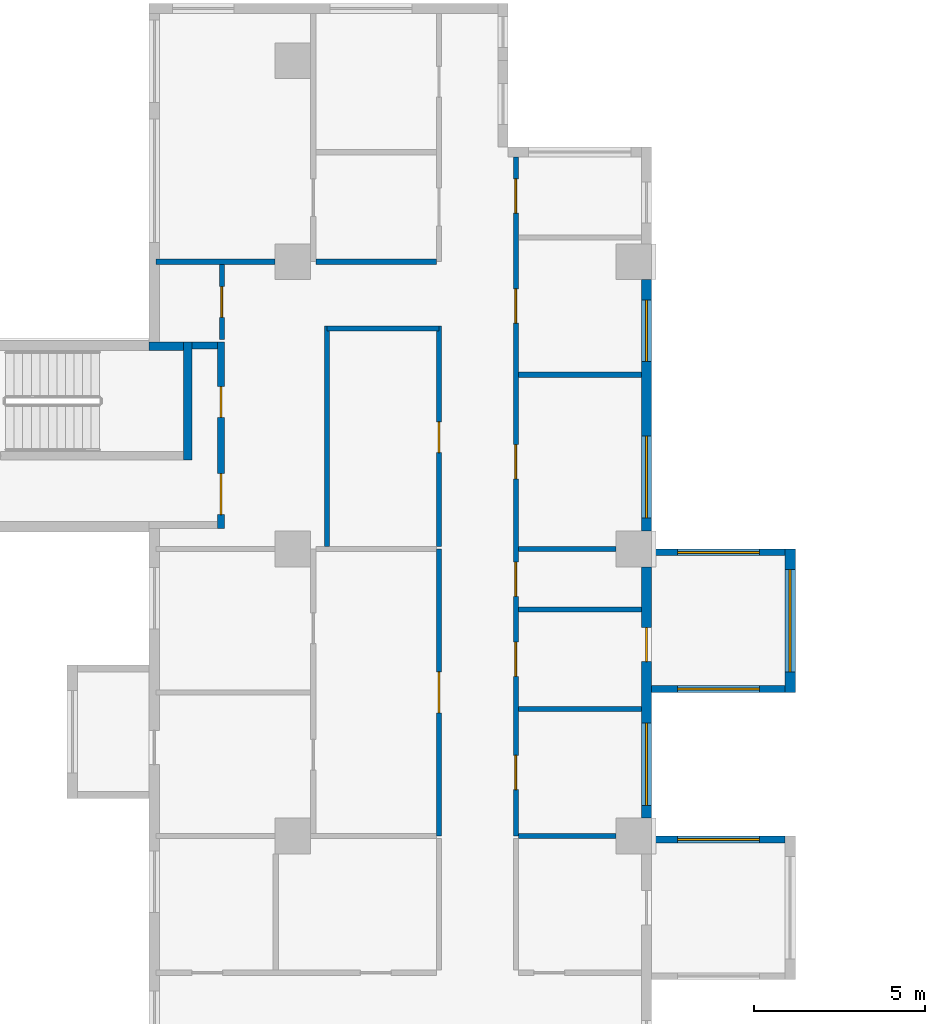
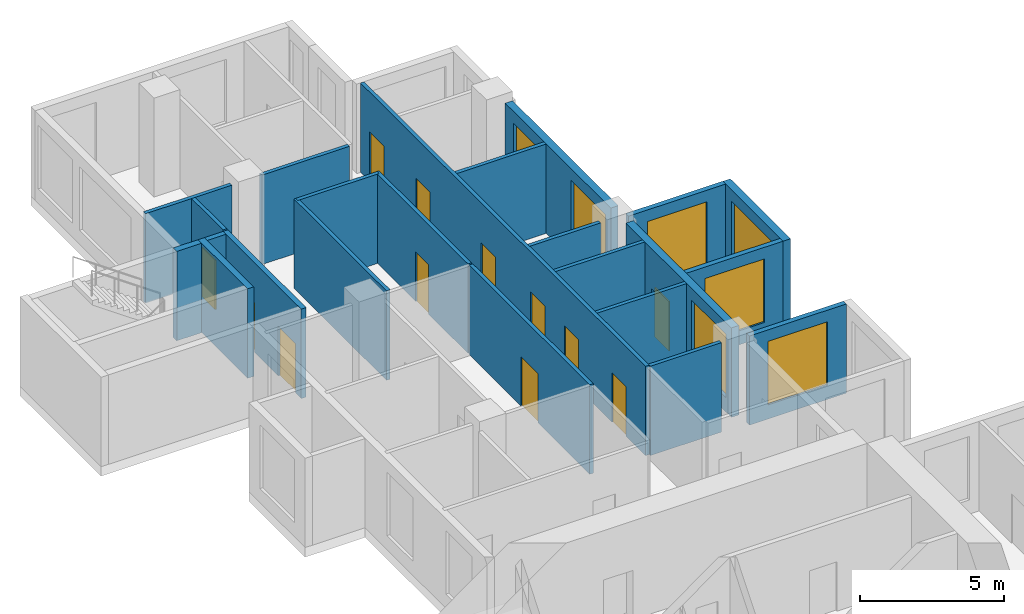
# One storey, part 7 of 15: 23 walls, 12 doors, 7 windows, 19 openings.
"""IFC4 building model written with IfcOpenShell, lengths in metres."""

from ifc_helpers import new_model, si_unit, direction, frame, frame_2d, origin, place, context, subcontext, project, spatial, rectangle, extrude, source, transform, mapped, material, layer, layer_set, type_object, element, fill, save


model = new_model("IFC4")

# Units and contexts
model_context = context("Model", 3, precision=1e-05, world=origin(), true_north=direction((0.0, 1.0)))
body_context = subcontext(model_context, "Body", "Model", "MODEL_VIEW")
ifc_project = project(units=[si_unit("LENGTHUNIT", "METRE"), si_unit("AREAUNIT", "SQUARE_METRE"), si_unit("VOLUMEUNIT", "CUBIC_METRE"), si_unit("PLANEANGLEUNIT", "RADIAN"), si_unit("MASSUNIT", "GRAM", prefix="KILO")], contexts=[model_context])

# Site, building, storey
site_placement = place(None, origin())
site = spatial("IfcSite", under=ifc_project, at=site_placement, CompositionType="ELEMENT")
building_placement = place(site_placement, origin())
building = spatial("IfcBuilding", under=site, at=building_placement, Name="Aurelian Terraces", CompositionType="ELEMENT")
storey_placement = place(building_placement, frame((0.0, 0.0, 107.7)))
storey = spatial("IfcBuildingStorey", under=building, at=storey_placement, Name="L23", CompositionType="ELEMENT", Elevation=107.7)

# Wall, opening, window
ifc_material_1 = material(Name="Concrete fc' 40 MPa", Category="concrete")
ifc_layer_1 = layer(ifc_material_1, 0.2)
ifc_layer_set_1 = layer_set([ifc_layer_1], Name="BOX BEARING WALL 200")
wall_type_1 = type_object("IfcWallType", Name="BOX BEARING WALL 200", PredefinedType="SOLIDWALL", material=ifc_layer_set_1)
shared_shape_1 = source(origin(), body_context, "Body", "SweptSolid", [
    extrude(rectangle(XDim=3.9, YDim=0.2, at=frame_2d((1.95, 0.0))), origin(), (0.0, 0.0, 1.0), 3.79),
])
wall_1_placement = place(storey_placement, frame((21.0, 29.3, 0.0), z_axis=(0.0, 0.0, 1.0), x_axis=(1.0, 0.0, 0.0)))
wall_1 = element("IfcWall", 1, at=wall_1_placement, inside=storey, type_object=wall_type_1, Name="Box return L23 J32.2", PredefinedType="SOLIDWALL", context=body_context, shape_type="MappedRepresentation", body=[
    mapped(shared_shape_1, transform((0.0, 0.0, 0.0), scale=1.0)),
])
shared_shape_2 = source(origin(), body_context, "Body", "SweptSolid", [
    extrude(rectangle(XDim=2.4, YDim=2.7, at=frame_2d((1.2, 1.35))), frame((0.0, 0.11, 0.0), z_axis=(0.0, -1.0, 0.0), x_axis=(1.0, 0.0, 0.0)), (0.0, 0.0, 1.0), 0.22),
])
opening_1_placement = place(wall_1_placement, frame((0.75, 0.0, 0.6)))
opening_1 = element("IfcOpeningElement", 2, at=opening_1_placement, cuts=wall_1, Name="Opening W2427", PredefinedType="OPENING", context=body_context, shape_type="MappedRepresentation", body=[
    mapped(shared_shape_2, transform((0.0, 0.0, 0.0), scale=1.0)),
])
ifc_material_2 = material(Name="Clear glazing", Category="glass")
window_type_1 = type_object("IfcWindowType", Name="W-2400x2700", PartitioningType="SINGLE_PANEL", PredefinedType="WINDOW", material=ifc_material_2)
shared_shape_3 = source(origin(), body_context, "Body", "SweptSolid", [
    extrude(rectangle(XDim=2.4, YDim=2.7, at=frame_2d((1.2, 1.35))), frame((0.0, 0.03, 0.0), z_axis=(0.0, -1.0, 0.0), x_axis=(1.0, 0.0, 0.0)), (0.0, 0.0, 1.0), 0.06),
])
window_1_placement = place(opening_1_placement, origin())
window_1 = element("IfcWindow", 3, at=window_1_placement, inside=storey, type_object=window_type_1, Name="Window L23 J32-S2", OverallHeight=2.7, OverallWidth=2.4, PartitioningType="SINGLE_PANEL", PredefinedType="WINDOW", context=body_context, shape_type="MappedRepresentation", body=[
    mapped(shared_shape_3, transform((0.0, 0.0, 0.0), scale=1.0)),
])
fill(opening_1, window_1)

wall_2_placement = place(storey_placement, frame((21.0, 33.7, 0.0), z_axis=(0.0, 0.0, 1.0), x_axis=(1.0, 0.0, 0.0)))
wall_2 = element("IfcWall", 4, at=wall_2_placement, inside=storey, type_object=wall_type_1, Name="Box return L23 J33.1", PredefinedType="SOLIDWALL", context=body_context, shape_type="MappedRepresentation", body=[
    mapped(shared_shape_1, transform((0.0, 0.0, 0.0), scale=1.0)),
])
opening_2_placement = place(wall_2_placement, frame((0.75, 0.0, 0.6)))
opening_2 = element("IfcOpeningElement", 5, at=opening_2_placement, cuts=wall_2, Name="Opening W2427", PredefinedType="OPENING", context=body_context, shape_type="MappedRepresentation", body=[
    mapped(shared_shape_2, transform((0.0, 0.0, 0.0), scale=1.0)),
])
window_2_placement = place(opening_2_placement, origin())
window_2 = element("IfcWindow", 6, at=window_2_placement, inside=storey, type_object=window_type_1, Name="Window L23 J33-S1", OverallHeight=2.7, OverallWidth=2.4, PartitioningType="SINGLE_PANEL", PredefinedType="WINDOW", context=body_context, shape_type="MappedRepresentation", body=[
    mapped(shared_shape_3, transform((0.0, 0.0, 0.0), scale=1.0)),
])
fill(opening_2, window_2)

wall_3_placement = place(storey_placement, frame((21.0, 37.7, 0.0), z_axis=(0.0, 0.0, 1.0), x_axis=(1.0, 0.0, 0.0)))
wall_3 = element("IfcWall", 7, at=wall_3_placement, inside=storey, type_object=wall_type_1, Name="Box return L23 J33.2", PredefinedType="SOLIDWALL", context=body_context, shape_type="MappedRepresentation", body=[
    mapped(shared_shape_1, transform((0.0, 0.0, 0.0), scale=1.0)),
])
opening_3_placement = place(wall_3_placement, frame((0.75, 0.0, 0.6)))
opening_3 = element("IfcOpeningElement", 8, at=opening_3_placement, cuts=wall_3, Name="Opening W2427", PredefinedType="OPENING", context=body_context, shape_type="MappedRepresentation", body=[
    mapped(shared_shape_2, transform((0.0, 0.0, 0.0), scale=1.0)),
])
window_3_placement = place(opening_3_placement, origin())
window_3 = element("IfcWindow", 9, at=window_3_placement, inside=storey, type_object=window_type_1, Name="Window L23 J33-S2", OverallHeight=2.7, OverallWidth=2.4, PartitioningType="SINGLE_PANEL", PredefinedType="WINDOW", context=body_context, shape_type="MappedRepresentation", body=[
    mapped(shared_shape_3, transform((0.0, 0.0, 0.0), scale=1.0)),
])
fill(opening_3, window_3)

ifc_layer_2 = layer(ifc_material_1, 0.3)
ifc_layer_set_2 = layer_set([ifc_layer_2], Name="BOX BEARING WALL 300")
wall_type_2 = type_object("IfcWallType", Name="BOX BEARING WALL 300", PredefinedType="SOLIDWALL", material=ifc_layer_set_2)
shared_shape_4 = source(origin(), body_context, "Body", "SweptSolid", [
    extrude(rectangle(XDim=4.2, YDim=0.3, at=frame_2d((2.1, 0.0))), origin(), (0.0, 0.0, 1.0), 3.79),
])
wall_4_placement = place(storey_placement, frame((25.05, 33.6, 0.0), z_axis=(0.0, 0.0, 1.0), x_axis=(0.0, 1.0, 0.0)))
wall_4 = element("IfcWall", 10, at=wall_4_placement, inside=storey, type_object=wall_type_2, Name="Box wall L23 J33", PredefinedType="SOLIDWALL", context=body_context, shape_type="MappedRepresentation", body=[
    mapped(shared_shape_4, transform((0.0, 0.0, 0.0), scale=1.0)),
])
shared_shape_5 = source(origin(), body_context, "Body", "SweptSolid", [
    extrude(rectangle(XDim=3.0, YDim=2.7, at=frame_2d((1.5, 1.35))), frame((0.0, 0.16, 0.0), z_axis=(0.0, -1.0, 0.0), x_axis=(1.0, 0.0, 0.0)), (0.0, 0.0, 1.0), 0.32),
])
opening_4_placement = place(wall_4_placement, frame((0.6, 0.0, 0.6)))
opening_4 = element("IfcOpeningElement", 11, at=opening_4_placement, cuts=wall_4, Name="Opening W3027", PredefinedType="OPENING", context=body_context, shape_type="MappedRepresentation", body=[
    mapped(shared_shape_5, transform((0.0, 0.0, 0.0), scale=1.0)),
])
window_type_2 = type_object("IfcWindowType", Name="W-3000x2700", PartitioningType="SINGLE_PANEL", PredefinedType="WINDOW", material=ifc_material_2)
shared_shape_6 = source(origin(), body_context, "Body", "SweptSolid", [
    extrude(rectangle(XDim=3.0, YDim=2.7, at=frame_2d((1.5, 1.35))), frame((0.0, 0.03, 0.0), z_axis=(0.0, -1.0, 0.0), x_axis=(1.0, 0.0, 0.0)), (0.0, 0.0, 1.0), 0.06),
])
window_4_placement = place(opening_4_placement, origin())
window_4 = element("IfcWindow", 12, at=window_4_placement, inside=storey, type_object=window_type_2, Name="Window L23 J33-F1", OverallHeight=2.7, OverallWidth=3.0, PartitioningType="SINGLE_PANEL", PredefinedType="WINDOW", context=body_context, shape_type="MappedRepresentation", body=[
    mapped(shared_shape_6, transform((0.0, 0.0, 0.0), scale=1.0)),
])
fill(opening_4, window_4)

# Wall, openings, window, door
ifc_material_3 = material(Name="Terracotta rainscreen cladding", Category="masonry")
ifc_layer_3 = layer(ifc_material_3, 0.3)
ifc_layer_set_3 = layer_set([ifc_layer_3], Name="EW-300")
wall_type_3 = type_object("IfcWallType", Name="EW-300", PredefinedType="STANDARD", material=ifc_layer_set_3)
shared_shape_7 = source(origin(), body_context, "Body", "SweptSolid", [
    extrude(rectangle(XDim=7.35, YDim=0.3, at=frame_2d((3.675, 0.0))), origin(), (0.0, 0.0, 1.0), 3.8),
])
wall_5_placement = place(storey_placement, frame((20.85, 29.925, 0.0), z_axis=(0.0, 0.0, 1.0), x_axis=(0.0, 1.0, 0.0)))
wall_5 = element("IfcWall", 13, at=wall_5_placement, inside=storey, type_object=wall_type_3, Name="External wall L23 F08.22", PredefinedType="STANDARD", context=body_context, shape_type="MappedRepresentation", body=[
    mapped(shared_shape_7, transform((0.0, 0.0, 0.0), scale=1.0)),
])
shared_shape_8 = source(origin(), body_context, "Body", "SweptSolid", [
    extrude(rectangle(XDim=2.4, YDim=2.7, at=frame_2d((1.2, 1.35))), frame((0.0, 0.16, 0.0), z_axis=(0.0, -1.0, 0.0), x_axis=(1.0, 0.0, 0.0)), (0.0, 0.0, 1.0), 0.32),
])
opening_5_placement = place(wall_5_placement, frame((0.375, 0.0, 0.6)))
opening_5 = element("IfcOpeningElement", 14, at=opening_5_placement, cuts=wall_5, Name="Opening W2427", PredefinedType="OPENING", context=body_context, shape_type="MappedRepresentation", body=[
    mapped(shared_shape_8, transform((0.0, 0.0, 0.0), scale=1.0)),
])
shared_shape_9 = source(origin(), body_context, "Body", "SweptSolid", [
    extrude(rectangle(XDim=1.0, YDim=2.1, at=frame_2d((0.5, 1.05))), frame((0.0, 0.16, 0.0), z_axis=(0.0, -1.0, 0.0), x_axis=(1.0, 0.0, 0.0)), (0.0, 0.0, 1.0), 0.32),
])
opening_6_placement = place(wall_5_placement, frame((4.575, 0.0, 0.0)))
opening_6 = element("IfcOpeningElement", 15, at=opening_6_placement, cuts=wall_5, Name="Opening 823005", PredefinedType="OPENING", context=body_context, shape_type="MappedRepresentation", body=[
    mapped(shared_shape_9, transform((0.0, 0.0, 0.0), scale=1.0)),
])
window_5_placement = place(opening_5_placement, origin())
window_5 = element("IfcWindow", 16, at=window_5_placement, inside=storey, type_object=window_type_1, Name="Window L23 L23-F08-22-0", OverallHeight=2.7, OverallWidth=2.4, PartitioningType="SINGLE_PANEL", PredefinedType="WINDOW", context=body_context, shape_type="MappedRepresentation", body=[
    mapped(shared_shape_3, transform((0.0, 0.0, 0.0), scale=1.0)),
])
fill(opening_5, window_5)
ifc_material_4 = material(Name="Timber door leaf", Category="wood")
door_type_1 = type_object("IfcDoorType", Name="Room door 1000x2100 left", OperationType="SINGLE_SWING_LEFT", PredefinedType="DOOR", material=ifc_material_4)
shared_shape_10 = source(origin(), body_context, "Body", "SweptSolid", [
    extrude(rectangle(XDim=1.0, YDim=2.1, at=frame_2d((0.5, 1.05))), frame((0.0, 0.025, 0.0), z_axis=(0.0, -1.0, 0.0), x_axis=(1.0, 0.0, 0.0)), (0.0, 0.0, 1.0), 0.05),
])
door_1_placement = place(opening_6_placement, origin())
door_1 = element("IfcDoor", 17, at=door_1_placement, inside=storey, type_object=door_type_1, Name="Door 823005", OperationType="SINGLE_SWING_LEFT", OverallHeight=2.1, OverallWidth=1.0, PredefinedType="DOOR", context=body_context, shape_type="MappedRepresentation", body=[
    mapped(shared_shape_10, transform((0.0, 0.0, 0.0), scale=1.0)),
])
fill(opening_6, door_1)

# Wall, openings, windows
wall_6_placement = place(storey_placement, frame((20.85, 38.325, 0.0), z_axis=(0.0, 0.0, 1.0), x_axis=(0.0, 1.0, 0.0)))
wall_6 = element("IfcWall", 18, at=wall_6_placement, inside=storey, type_object=wall_type_3, Name="External wall L23 F08.23", PredefinedType="STANDARD", context=body_context, shape_type="MappedRepresentation", body=[
    mapped(shared_shape_7, transform((0.0, 0.0, 0.0), scale=1.0)),
])
opening_7_placement = place(wall_6_placement, frame((0.375, 0.0, 0.6)))
opening_7 = element("IfcOpeningElement", 19, at=opening_7_placement, cuts=wall_6, Name="Opening W2427", PredefinedType="OPENING", context=body_context, shape_type="MappedRepresentation", body=[
    mapped(shared_shape_8, transform((0.0, 0.0, 0.0), scale=1.0)),
])
shared_shape_11 = source(origin(), body_context, "Body", "SweptSolid", [
    extrude(rectangle(XDim=1.8, YDim=2.7, at=frame_2d((0.9, 1.35))), frame((0.0, 0.16, 0.0), z_axis=(0.0, -1.0, 0.0), x_axis=(1.0, 0.0, 0.0)), (0.0, 0.0, 1.0), 0.32),
])
opening_8_placement = place(wall_6_placement, frame((4.9605, 0.0, 0.6)))
opening_8 = element("IfcOpeningElement", 20, at=opening_8_placement, cuts=wall_6, Name="Opening W1827", PredefinedType="OPENING", context=body_context, shape_type="MappedRepresentation", body=[
    mapped(shared_shape_11, transform((0.0, 0.0, 0.0), scale=1.0)),
])
window_6_placement = place(opening_7_placement, origin())
window_6 = element("IfcWindow", 21, at=window_6_placement, inside=storey, type_object=window_type_1, Name="Window L23 L23-F08-23-0", OverallHeight=2.7, OverallWidth=2.4, PartitioningType="SINGLE_PANEL", PredefinedType="WINDOW", context=body_context, shape_type="MappedRepresentation", body=[
    mapped(shared_shape_3, transform((0.0, 0.0, 0.0), scale=1.0)),
])
fill(opening_7, window_6)
window_type_3 = type_object("IfcWindowType", Name="W-1800x2700", PartitioningType="SINGLE_PANEL", PredefinedType="WINDOW", material=ifc_material_2)
shared_shape_12 = source(origin(), body_context, "Body", "SweptSolid", [
    extrude(rectangle(XDim=1.8, YDim=2.7, at=frame_2d((0.9, 1.35))), frame((0.0, 0.03, 0.0), z_axis=(0.0, -1.0, 0.0), x_axis=(1.0, 0.0, 0.0)), (0.0, 0.0, 1.0), 0.06),
])
window_7_placement = place(opening_8_placement, origin())
window_7 = element("IfcWindow", 22, at=window_7_placement, inside=storey, type_object=window_type_3, Name="Window L23 L23-F08-23-1", OverallHeight=2.7, OverallWidth=1.8, PartitioningType="SINGLE_PANEL", PredefinedType="WINDOW", context=body_context, shape_type="MappedRepresentation", body=[
    mapped(shared_shape_12, transform((0.0, 0.0, 0.0), scale=1.0)),
])
fill(opening_8, window_7)

# Wall
ifc_layer_4 = layer(ifc_material_1, 0.25)
ifc_layer_set_4 = layer_set([ifc_layer_4], Name="Stair enclosure wall 250")
wall_type_4 = type_object("IfcWallType", Name="Stair enclosure wall 250", PredefinedType="SOLIDWALL", material=ifc_layer_set_4)
shared_shape_13 = source(origin(), body_context, "Body", "SweptSolid", [
    extrude(rectangle(XDim=3.45, YDim=0.25, at=frame_2d((1.725, 0.0))), origin(), (0.0, 0.0, 1.0), 3.8),
])
wall_7_placement = place(storey_placement, frame((7.425, 40.4, 0.0), z_axis=(0.0, 0.0, 1.0), x_axis=(0.0, 1.0, 0.0)))
element("IfcWall", 23, at=wall_7_placement, inside=storey, type_object=wall_type_4, Name="L23 core wall ST-S3-N", PredefinedType="SOLIDWALL", context=body_context, shape_type="MappedRepresentation", body=[
    mapped(shared_shape_13, transform((0.0, 0.0, 0.0), scale=1.0)),
])

# Wall, openings, doors
ifc_material_5 = material(Name="Gypsum board on steel studs", Category="steel")
ifc_layer_5 = layer(ifc_material_5, 0.2)
ifc_layer_set_5 = layer_set([ifc_layer_5], Name="Core partition 200")
wall_type_5 = type_object("IfcWallType", Name="Core partition 200", PredefinedType="PARTITIONING", material=ifc_layer_set_5)
shared_shape_14 = source(origin(), body_context, "Body", "SweptSolid", [
    extrude(rectangle(XDim=5.45, YDim=0.2, at=frame_2d((2.725, 0.0))), origin(), (0.0, 0.0, 1.0), 3.8),
])
wall_8_placement = place(storey_placement, frame((8.4, 38.4, 0.0), z_axis=(0.0, 0.0, 1.0), x_axis=(0.0, 1.0, 0.0)))
wall_8 = element("IfcWall", 24, at=wall_8_placement, inside=storey, type_object=wall_type_5, Name="L23 core wall ST-S3-BN", PredefinedType="PARTITIONING", context=body_context, shape_type="MappedRepresentation", body=[
    mapped(shared_shape_14, transform((0.0, 0.0, 0.0), scale=1.0)),
])
shared_shape_15 = source(origin(), body_context, "Body", "SweptSolid", [
    extrude(rectangle(XDim=1.2, YDim=2.1, at=frame_2d((0.6, 1.05))), frame((0.0, 0.11, 0.0), z_axis=(0.0, -1.0, 0.0), x_axis=(1.0, 0.0, 0.0)), (0.0, 0.0, 1.0), 0.22),
])
opening_9_placement = place(wall_8_placement, frame((0.4, 0.0, 0.0)))
opening_9 = element("IfcOpeningElement", 25, at=opening_9_placement, cuts=wall_8, Name="Opening 62618", PredefinedType="OPENING", context=body_context, shape_type="MappedRepresentation", body=[
    mapped(shared_shape_15, transform((0.0, 0.0, 0.0), scale=1.0)),
])
shared_shape_16 = source(origin(), body_context, "Body", "SweptSolid", [
    extrude(rectangle(XDim=0.9, YDim=2.1, at=frame_2d((0.45, 1.05))), frame((0.0, 0.11, 0.0), z_axis=(0.0, -1.0, 0.0), x_axis=(1.0, 0.0, 0.0)), (0.0, 0.0, 1.0), 0.22),
])
opening_10_placement = place(wall_8_placement, frame((3.25, 0.0, 0.0)))
opening_10 = element("IfcOpeningElement", 26, at=opening_10_placement, cuts=wall_8, Name="Opening 62619", PredefinedType="OPENING", context=body_context, shape_type="MappedRepresentation", body=[
    mapped(shared_shape_16, transform((0.0, 0.0, 0.0), scale=1.0)),
])
ifc_material_6 = material(Name="Steel door leaf", Category="steel")
door_type_2 = type_object("IfcDoorType", Name="Core riser door 900x2100 right", OperationType="SINGLE_SWING_RIGHT", PredefinedType="DOOR", material=ifc_material_6)
shared_shape_17 = source(origin(), body_context, "Body", "SweptSolid", [
    extrude(rectangle(XDim=0.9, YDim=2.1, at=frame_2d((0.45, 1.05))), frame((0.0, 0.025, 0.0), z_axis=(0.0, -1.0, 0.0), x_axis=(1.0, 0.0, 0.0)), (0.0, 0.0, 1.0), 0.05),
])
door_2_placement = place(opening_10_placement, origin())
door_2 = element("IfcDoor", 27, at=door_2_placement, inside=storey, type_object=door_type_2, Name="Riser door 62619", OperationType="SINGLE_SWING_RIGHT", OverallHeight=2.1, OverallWidth=0.9, PredefinedType="DOOR", context=body_context, shape_type="MappedRepresentation", body=[
    mapped(shared_shape_17, transform((0.0, 0.0, 0.0), scale=1.0)),
])
fill(opening_10, door_2)
door_type_3 = type_object("IfcDoorType", Name="Core fire door 1200x2100", OperationType="SINGLE_SWING_LEFT", PredefinedType="DOOR", material=ifc_material_6)
shared_shape_18 = source(origin(), body_context, "Body", "SweptSolid", [
    extrude(rectangle(XDim=1.2, YDim=2.1, at=frame_2d((0.6, 1.05))), frame((0.0, 0.025, 0.0), z_axis=(0.0, -1.0, 0.0), x_axis=(1.0, 0.0, 0.0)), (0.0, 0.0, 1.0), 0.05),
])
door_3_placement = place(opening_9_placement, origin())
door_3 = element("IfcDoor", 28, at=door_3_placement, inside=storey, type_object=door_type_3, Name="Vestibule door 62618", OperationType="SINGLE_SWING_LEFT", OverallHeight=2.1, OverallWidth=1.2, PredefinedType="DOOR", context=body_context, shape_type="MappedRepresentation", body=[
    mapped(shared_shape_18, transform((0.0, 0.0, 0.0), scale=1.0)),
])
fill(opening_9, door_3)

# Walls
shared_shape_19 = source(origin(), body_context, "Body", "SweptSolid", [
    extrude(rectangle(XDim=0.75, YDim=0.2, at=frame_2d((0.375, 0.0))), origin(), (0.0, 0.0, 1.0), 3.8),
])
wall_9_placement = place(storey_placement, frame((7.55, 43.75, 0.0), z_axis=(0.0, 0.0, 1.0), x_axis=(1.0, 0.0, 0.0)))
element("IfcWall", 29, at=wall_9_placement, inside=storey, type_object=wall_type_5, Name="L23 core wall ST-S3-RE", PredefinedType="PARTITIONING", context=body_context, shape_type="MappedRepresentation", body=[
    mapped(shared_shape_19, transform((0.0, 0.0, 0.0), scale=1.0)),
])
shared_shape_20 = source(origin(), body_context, "Body", "SweptSolid", [
    extrude(rectangle(XDim=1.0, YDim=0.25, at=frame_2d((0.5, 0.0))), origin(), (0.0, 0.0, 1.0), 3.8),
])
wall_10_placement = place(storey_placement, frame((6.3, 43.725, 0.0), z_axis=(0.0, 0.0, 1.0), x_axis=(1.0, 0.0, 0.0)))
element("IfcWall", 30, at=wall_10_placement, inside=storey, type_object=wall_type_4, Name="L23 core wall ST-S3-E", PredefinedType="SOLIDWALL", context=body_context, shape_type="MappedRepresentation", body=[
    mapped(shared_shape_20, transform((0.0, 0.0, 0.0), scale=1.0)),
])
ifc_layer_6 = layer(ifc_material_5, 0.15)
ifc_layer_set_6 = layer_set([ifc_layer_6], Name="Partition 150")
wall_type_6 = type_object("IfcWallType", Name="Partition 150", PredefinedType="PARTITIONING", material=ifc_layer_set_6)
shared_shape_21 = source(origin(), body_context, "Body", "SweptSolid", [
    extrude(rectangle(XDim=6.45, YDim=0.15, at=frame_2d((3.225, 0.0))), origin(), (0.0, 0.0, 1.0), 3.8),
])
wall_11_placement = place(storey_placement, frame((11.5, 44.325, 0.0), z_axis=(0.0, 0.0, 1.0), x_axis=(0.0, -1.0, 0.0)))
element("IfcWall", 31, at=wall_11_placement, inside=storey, type_object=wall_type_6, Name="Partition", PredefinedType="PARTITIONING", context=body_context, shape_type="MappedRepresentation", body=[
    mapped(shared_shape_21, transform((0.0, 0.0, 0.0), scale=1.0)),
])

# Wall, opening, door
ifc_layer_7 = layer(ifc_material_5, 0.15)
ifc_layer_set_7 = layer_set([ifc_layer_7], Name="Fire partition 150")
wall_type_7 = type_object("IfcWallType", Name="Fire partition 150", PredefinedType="PARTITIONING", material=ifc_layer_set_7)
wall_12_placement = place(storey_placement, frame((14.775, 37.875, 0.0), z_axis=(0.0, 0.0, 1.0), x_axis=(0.0, 1.0, 0.0)))
wall_12 = element("IfcWall", 32, at=wall_12_placement, inside=storey, type_object=wall_type_7, Name="Corridor wall", PredefinedType="PARTITIONING", context=body_context, shape_type="MappedRepresentation", body=[
    mapped(shared_shape_21, transform((0.0, 0.0, 0.0), scale=1.0)),
])
shared_shape_22 = source(origin(), body_context, "Body", "SweptSolid", [
    extrude(rectangle(XDim=0.9, YDim=2.1, at=frame_2d((0.45, 1.05))), frame((0.0, 0.085, 0.0), z_axis=(0.0, -1.0, 0.0), x_axis=(1.0, 0.0, 0.0)), (0.0, 0.0, 1.0), 0.17),
])
opening_11_placement = place(wall_12_placement, frame((2.7375, 0.0, 0.0)))
opening_11 = element("IfcOpeningElement", 33, at=opening_11_placement, cuts=wall_12, Name="Opening 723034", PredefinedType="OPENING", context=body_context, shape_type="MappedRepresentation", body=[
    mapped(shared_shape_22, transform((0.0, 0.0, 0.0), scale=1.0)),
])
door_type_4 = type_object("IfcDoorType", Name="Room door 900x2100 right", OperationType="SINGLE_SWING_RIGHT", PredefinedType="DOOR", material=ifc_material_4)
door_4_placement = place(opening_11_placement, origin())
door_4 = element("IfcDoor", 34, at=door_4_placement, inside=storey, type_object=door_type_4, Name="Door 723034", OperationType="SINGLE_SWING_RIGHT", OverallHeight=2.1, OverallWidth=0.9, PredefinedType="DOOR", context=body_context, shape_type="MappedRepresentation", body=[
    mapped(shared_shape_17, transform((0.0, 0.0, 0.0), scale=1.0)),
])
fill(opening_11, door_4)

# Walls
shared_shape_23 = source(origin(), body_context, "Body", "SweptSolid", [
    extrude(rectangle(XDim=3.6, YDim=0.15, at=frame_2d((1.8, 0.0))), origin(), (0.0, 0.0, 1.0), 3.8),
])
for number, where, z_axis, x_axis, name in (
    (35, (17.1, 33.1133, 0.0), (0.0, 0.0, 1.0), (1.0, 0.0, 0.0), "Partition"),
    (36, (17.1, 36.024, 0.0), (0.0, 0.0, 1.0), (1.0, 0.0, 0.0), "Partition"),
    (37, (17.1, 42.8959, 0.0), (0.0, 0.0, 1.0), (1.0, 0.0, 0.0), "Partition"),
):
    element("IfcWall", number, at=place(storey_placement, frame(where, z_axis=z_axis, x_axis=x_axis)), inside=storey, type_object=wall_type_6, Name=name, PredefinedType="PARTITIONING", context=body_context, shape_type="MappedRepresentation", body=[
        mapped(shared_shape_23, transform((0.0, 0.0, 0.0), scale=1.0)),
    ])

# Wall, opening, door
shared_shape_24 = source(origin(), body_context, "Body", "SweptSolid", [
    extrude(rectangle(XDim=8.4, YDim=0.15, at=frame_2d((4.2, 0.0))), origin(), (0.0, 0.0, 1.0), 3.8),
])
wall_13_placement = place(storey_placement, frame((14.775, 29.4, 0.0), z_axis=(0.0, 0.0, 1.0), x_axis=(0.0, 1.0, 0.0)))
wall_13 = element("IfcWall", 38, at=wall_13_placement, inside=storey, type_object=wall_type_7, Name="Corridor wall", PredefinedType="PARTITIONING", context=body_context, shape_type="MappedRepresentation", body=[
    mapped(shared_shape_24, transform((0.0, 0.0, 0.0), scale=1.0)),
])
shared_shape_25 = source(origin(), body_context, "Body", "SweptSolid", [
    extrude(rectangle(XDim=1.2, YDim=2.1, at=frame_2d((0.6, 1.05))), frame((0.0, 0.085, 0.0), z_axis=(0.0, -1.0, 0.0), x_axis=(1.0, 0.0, 0.0)), (0.0, 0.0, 1.0), 0.17),
])
opening_12_placement = place(wall_13_placement, frame((3.6, 0.0, 0.0)))
opening_12 = element("IfcOpeningElement", 39, at=opening_12_placement, cuts=wall_13, Name="Opening 723036", PredefinedType="OPENING", context=body_context, shape_type="MappedRepresentation", body=[
    mapped(shared_shape_25, transform((0.0, 0.0, 0.0), scale=1.0)),
])
door_type_5 = type_object("IfcDoorType", Name="Room door 1200x2100 left", OperationType="SINGLE_SWING_LEFT", PredefinedType="DOOR", material=ifc_material_4)
door_5_placement = place(opening_12_placement, origin())
door_5 = element("IfcDoor", 40, at=door_5_placement, inside=storey, type_object=door_type_5, Name="Door 723036", OperationType="SINGLE_SWING_LEFT", OverallHeight=2.1, OverallWidth=1.2, PredefinedType="DOOR", context=body_context, shape_type="MappedRepresentation", body=[
    mapped(shared_shape_18, transform((0.0, 0.0, 0.0), scale=1.0)),
])
fill(opening_12, door_5)

shared_shape_26 = source(origin(), body_context, "Body", "SweptSolid", [
    extrude(rectangle(XDim=2.2, YDim=0.15, at=frame_2d((1.1, 0.0))), origin(), (0.0, 0.0, 1.0), 3.8),
])
wall_14_placement = place(storey_placement, frame((8.425, 43.925, 0.0), z_axis=(0.0, 0.0, 1.0), x_axis=(0.0, 1.0, 0.0)))
wall_14 = element("IfcWall", 41, at=wall_14_placement, inside=storey, type_object=wall_type_6, Name="Partition", PredefinedType="PARTITIONING", context=body_context, shape_type="MappedRepresentation", body=[
    mapped(shared_shape_26, transform((0.0, 0.0, 0.0), scale=1.0)),
])
opening_13_placement = place(wall_14_placement, frame((0.65, 0.0, 0.0)))
opening_13 = element("IfcOpeningElement", 42, at=opening_13_placement, cuts=wall_14, Name="Opening 723035", PredefinedType="OPENING", context=body_context, shape_type="MappedRepresentation", body=[
    mapped(shared_shape_22, transform((0.0, 0.0, 0.0), scale=1.0)),
])
door_6_placement = place(opening_13_placement, origin())
door_6 = element("IfcDoor", 43, at=door_6_placement, inside=storey, type_object=door_type_4, Name="Door 723035", OperationType="SINGLE_SWING_RIGHT", OverallHeight=2.1, OverallWidth=0.9, PredefinedType="DOOR", context=body_context, shape_type="MappedRepresentation", body=[
    mapped(shared_shape_17, transform((0.0, 0.0, 0.0), scale=1.0)),
])
fill(opening_13, door_6)

# Walls
shared_shape_27 = source(origin(), body_context, "Body", "SweptSolid", [
    extrude(rectangle(XDim=3.275, YDim=0.15, at=frame_2d((1.6375, 0.0))), origin(), (0.0, 0.0, 1.0), 3.8),
])
wall_15_placement = place(storey_placement, frame((14.775, 44.25, 0.0), z_axis=(0.0, 0.0, 1.0), x_axis=(-1.0, 0.0, 0.0)))
element("IfcWall", 44, at=wall_15_placement, inside=storey, type_object=wall_type_6, Name="Partition", PredefinedType="PARTITIONING", context=body_context, shape_type="MappedRepresentation", body=[
    mapped(shared_shape_27, transform((0.0, 0.0, 0.0), scale=1.0)),
])
shared_shape_28 = source(origin(), body_context, "Body", "SweptSolid", [
    extrude(rectangle(XDim=2.851, YDim=0.15, at=frame_2d((1.4255, 0.0))), origin(), (0.0, 0.0, 1.0), 3.8),
])
for number, where, z_axis, x_axis, name in (
    (45, (19.951, 29.4, 0.0), (0.0, 0.0, 1.0), (-1.0, 0.0, 0.0), "Partition"),
    (46, (19.951, 37.8, 0.0), (0.0, 0.0, 1.0), (-1.0, 0.0, 0.0), "Partition"),
):
    element("IfcWall", number, at=place(storey_placement, frame(where, z_axis=z_axis, x_axis=x_axis)), inside=storey, type_object=wall_type_6, Name=name, PredefinedType="PARTITIONING", context=body_context, shape_type="MappedRepresentation", body=[
        mapped(shared_shape_28, transform((0.0, 0.0, 0.0), scale=1.0)),
    ])
shared_shape_29 = source(origin(), body_context, "Body", "SweptSolid", [
    extrude(rectangle(XDim=3.471, YDim=0.15, at=frame_2d((1.7355, 0.0))), origin(), (0.0, 0.0, 1.0), 3.8),
])
wall_16_placement = place(storey_placement, frame((9.976, 46.2, 0.0), z_axis=(0.0, 0.0, 1.0), x_axis=(-1.0, 0.0, 0.0)))
element("IfcWall", 47, at=wall_16_placement, inside=storey, type_object=wall_type_6, Name="Partition", PredefinedType="PARTITIONING", context=body_context, shape_type="MappedRepresentation", body=[
    mapped(shared_shape_29, transform((0.0, 0.0, 0.0), scale=1.0)),
])
shared_shape_30 = source(origin(), body_context, "Body", "SweptSolid", [
    extrude(rectangle(XDim=3.525, YDim=0.15, at=frame_2d((1.7625, 0.0))), origin(), (0.0, 0.0, 1.0), 3.8),
])
wall_17_placement = place(storey_placement, frame((14.7, 46.2, 0.0), z_axis=(0.0, 0.0, 1.0), x_axis=(-1.0, 0.0, 0.0)))
element("IfcWall", 48, at=wall_17_placement, inside=storey, type_object=wall_type_6, Name="Partition", PredefinedType="PARTITIONING", context=body_context, shape_type="MappedRepresentation", body=[
    mapped(shared_shape_30, transform((0.0, 0.0, 0.0), scale=1.0)),
])

# Wall, openings, doors
shared_shape_31 = source(origin(), body_context, "Body", "SweptSolid", [
    extrude(rectangle(XDim=19.86, YDim=0.15, at=frame_2d((9.93, 0.0))), origin(), (0.0, 0.0, 1.0), 3.8),
])
wall_18_placement = place(storey_placement, frame((17.025, 49.26, 0.0), z_axis=(0.0, 0.0, 1.0), x_axis=(0.0, -1.0, 0.0)))
wall_18 = element("IfcWall", 49, at=wall_18_placement, inside=storey, type_object=wall_type_7, Name="Corridor wall", PredefinedType="PARTITIONING", context=body_context, shape_type="MappedRepresentation", body=[
    mapped(shared_shape_31, transform((0.0, 0.0, 0.0), scale=1.0)),
])
shared_shape_32 = source(origin(), body_context, "Body", "SweptSolid", [
    extrude(rectangle(XDim=1.0, YDim=2.1, at=frame_2d((0.5, 1.05))), frame((0.0, 0.085, 0.0), z_axis=(0.0, -1.0, 0.0), x_axis=(1.0, 0.0, 0.0)), (0.0, 0.0, 1.0), 0.17),
])
opening_14_placement = place(wall_18_placement, frame((17.5033, 0.0, 0.0)))
opening_14 = element("IfcOpeningElement", 50, at=opening_14_placement, cuts=wall_18, Name="Opening 723042", PredefinedType="OPENING", context=body_context, shape_type="MappedRepresentation", body=[
    mapped(shared_shape_32, transform((0.0, 0.0, 0.0), scale=1.0)),
])
opening_15_placement = place(wall_18_placement, frame((14.1914, 0.0, 0.0)))
opening_15 = element("IfcOpeningElement", 51, at=opening_15_placement, cuts=wall_18, Name="Opening 723043", PredefinedType="OPENING", context=body_context, shape_type="MappedRepresentation", body=[
    mapped(shared_shape_32, transform((0.0, 0.0, 0.0), scale=1.0)),
])
opening_16_placement = place(wall_18_placement, frame((11.848, 0.0, 0.0)))
opening_16 = element("IfcOpeningElement", 52, at=opening_16_placement, cuts=wall_18, Name="Opening 723044", PredefinedType="OPENING", context=body_context, shape_type="MappedRepresentation", body=[
    mapped(shared_shape_32, transform((0.0, 0.0, 0.0), scale=1.0)),
])
opening_17_placement = place(wall_18_placement, frame((8.4121, 0.0, 0.0)))
opening_17 = element("IfcOpeningElement", 53, at=opening_17_placement, cuts=wall_18, Name="Opening 723045", PredefinedType="OPENING", context=body_context, shape_type="MappedRepresentation", body=[
    mapped(shared_shape_32, transform((0.0, 0.0, 0.0), scale=1.0)),
])
opening_18_placement = place(wall_18_placement, frame((3.8558, 0.0, 0.0)))
opening_18 = element("IfcOpeningElement", 54, at=opening_18_placement, cuts=wall_18, Name="Opening 723046", PredefinedType="OPENING", context=body_context, shape_type="MappedRepresentation", body=[
    mapped(shared_shape_32, transform((0.0, 0.0, 0.0), scale=1.0)),
])
opening_19_placement = place(wall_18_placement, frame((0.6362, 0.0, 0.0)))
opening_19 = element("IfcOpeningElement", 55, at=opening_19_placement, cuts=wall_18, Name="Opening 723047", PredefinedType="OPENING", context=body_context, shape_type="MappedRepresentation", body=[
    mapped(shared_shape_32, transform((0.0, 0.0, 0.0), scale=1.0)),
])
door_7_placement = place(opening_14_placement, origin())
door_7 = element("IfcDoor", 56, at=door_7_placement, inside=storey, type_object=door_type_1, Name="Door 723042", OperationType="SINGLE_SWING_LEFT", OverallHeight=2.1, OverallWidth=1.0, PredefinedType="DOOR", context=body_context, shape_type="MappedRepresentation", body=[
    mapped(shared_shape_10, transform((0.0, 0.0, 0.0), scale=1.0)),
])
fill(opening_14, door_7)
door_type_6 = type_object("IfcDoorType", Name="Room door 1000x2100 right", OperationType="SINGLE_SWING_RIGHT", PredefinedType="DOOR", material=ifc_material_4)
door_8_placement = place(opening_15_placement, origin())
door_8 = element("IfcDoor", 57, at=door_8_placement, inside=storey, type_object=door_type_6, Name="Door 723043", OperationType="SINGLE_SWING_RIGHT", OverallHeight=2.1, OverallWidth=1.0, PredefinedType="DOOR", context=body_context, shape_type="MappedRepresentation", body=[
    mapped(shared_shape_10, transform((0.0, 0.0, 0.0), scale=1.0)),
])
fill(opening_15, door_8)
door_9_placement = place(opening_16_placement, origin())
door_9 = element("IfcDoor", 58, at=door_9_placement, inside=storey, type_object=door_type_1, Name="Door 723044", OperationType="SINGLE_SWING_LEFT", OverallHeight=2.1, OverallWidth=1.0, PredefinedType="DOOR", context=body_context, shape_type="MappedRepresentation", body=[
    mapped(shared_shape_10, transform((0.0, 0.0, 0.0), scale=1.0)),
])
fill(opening_16, door_9)
door_10_placement = place(opening_17_placement, origin())
door_10 = element("IfcDoor", 59, at=door_10_placement, inside=storey, type_object=door_type_1, Name="Door 723045", OperationType="SINGLE_SWING_LEFT", OverallHeight=2.1, OverallWidth=1.0, PredefinedType="DOOR", context=body_context, shape_type="MappedRepresentation", body=[
    mapped(shared_shape_10, transform((0.0, 0.0, 0.0), scale=1.0)),
])
fill(opening_17, door_10)
door_11_placement = place(opening_18_placement, origin())
door_11 = element("IfcDoor", 60, at=door_11_placement, inside=storey, type_object=door_type_6, Name="Door 723046", OperationType="SINGLE_SWING_RIGHT", OverallHeight=2.1, OverallWidth=1.0, PredefinedType="DOOR", context=body_context, shape_type="MappedRepresentation", body=[
    mapped(shared_shape_10, transform((0.0, 0.0, 0.0), scale=1.0)),
])
fill(opening_18, door_11)
door_12_placement = place(opening_19_placement, origin())
door_12 = element("IfcDoor", 61, at=door_12_placement, inside=storey, type_object=door_type_1, Name="Door 723047", OperationType="SINGLE_SWING_LEFT", OverallHeight=2.1, OverallWidth=1.0, PredefinedType="DOOR", context=body_context, shape_type="MappedRepresentation", body=[
    mapped(shared_shape_10, transform((0.0, 0.0, 0.0), scale=1.0)),
])
fill(opening_19, door_12)

save(model, "model.ifc")
